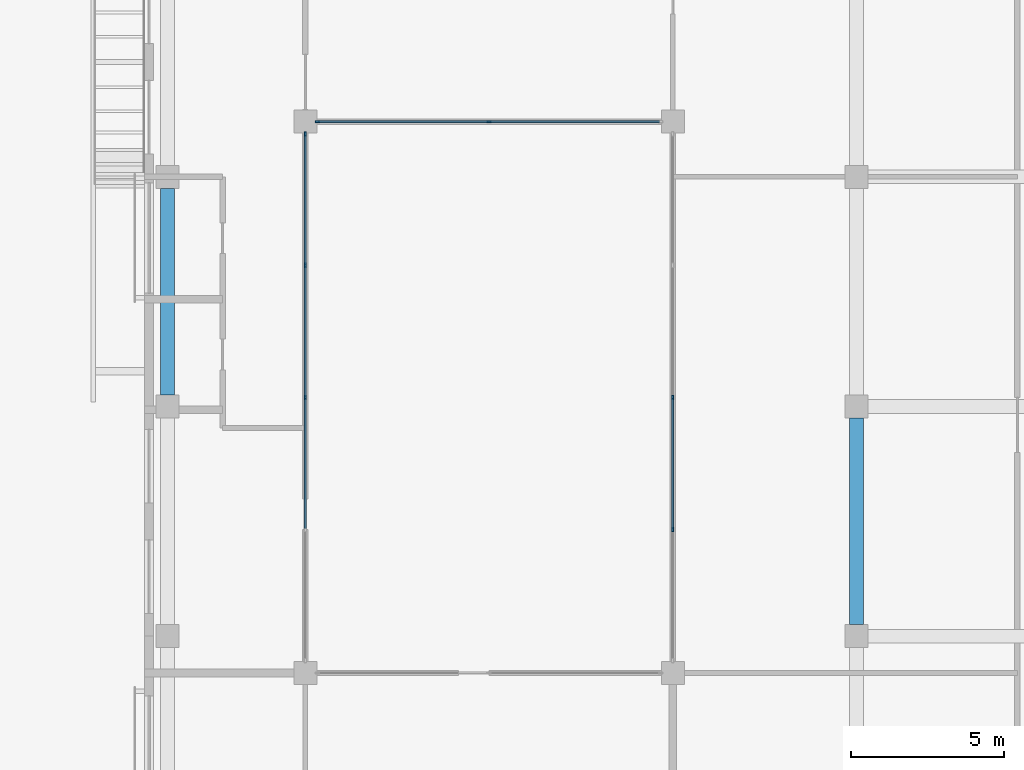
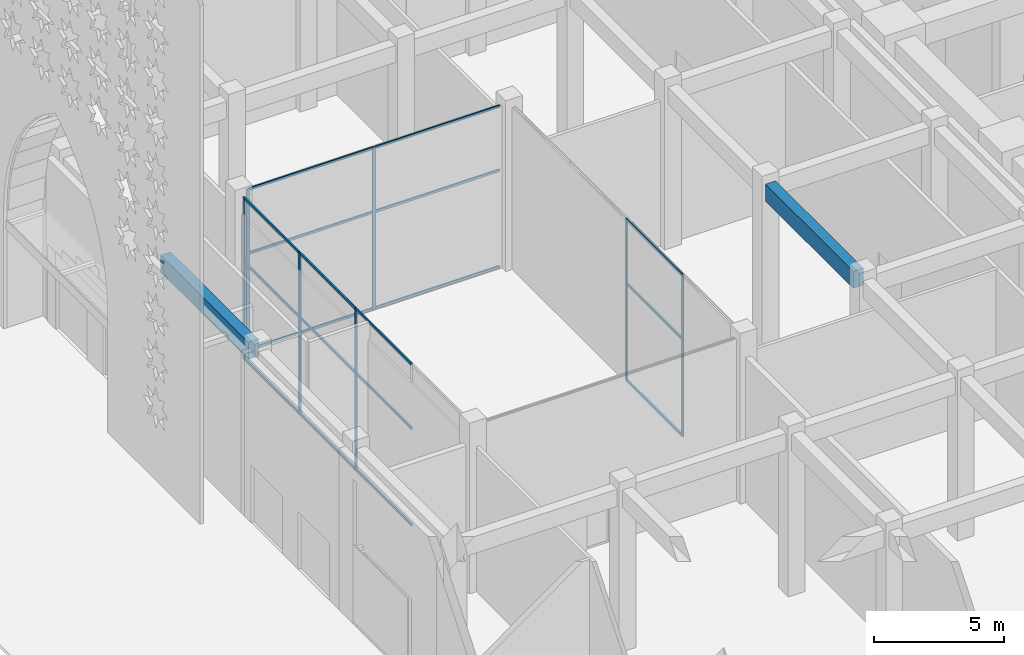
# One storey, part 9 of 64: 25 members, 2 beams, 3 elements without a shape of their own.
"""IFC4 building model written with IfcOpenShell, lengths in metres."""

from ifc_helpers import new_model, si_unit, direction, frame, origin, origin_2d, place, context, subcontext, project, spatial, rectangle, extrude, material, layer, layer_set, material_profile, profile_set, type_object, element, aggregate, save


model = new_model("IFC4")

# Units and contexts
model_context = context("Model", 3, precision=1e-05, world=origin(), true_north=direction((0.0, 1.0)))
body_context = subcontext(model_context, "Body", "Model", "MODEL_VIEW")
ifc_project = project(units=[si_unit("LENGTHUNIT", "METRE"), si_unit("AREAUNIT", "SQUARE_METRE"), si_unit("VOLUMEUNIT", "CUBIC_METRE"), si_unit("PLANEANGLEUNIT", "RADIAN"), si_unit("MASSUNIT", "GRAM", prefix="KILO")], contexts=[model_context])

# Site, building, storey
site_placement = place(None, origin())
site = spatial("IfcSite", under=ifc_project, at=site_placement, CompositionType="ELEMENT")
building_placement = place(site_placement, origin())
building = spatial("IfcBuilding", under=site, at=building_placement, Name="Tessera Arch", CompositionType="ELEMENT")
storey_placement = place(building_placement, origin())
storey = spatial("IfcBuildingStorey", under=building, at=storey_placement, Name="L00", CompositionType="ELEMENT", Elevation=0.0)

# Curtain wall, members
ifc_material_1 = material(Name="Aluminium and clear glass", Category="aluminium")
ifc_layer = layer(ifc_material_1, 0.1201171875)
ifc_layer_set = layer_set([ifc_layer], Name="Courtyard curtain wall")
curtain_wall_type = type_object("IfcCurtainWallType", Name="Courtyard curtain wall", PredefinedType="NOTDEFINED", material=ifc_layer_set)
curtain_wall_1_placement = place(storey_placement, origin())
curtain_wall_1 = element("IfcCurtainWall", 1, at=curtain_wall_1_placement, inside=storey, type_object=curtain_wall_type, Name="Courtyard curtain wall L00 2", PredefinedType="NOTDEFINED")
ifc_material_2 = material(Name="Aluminium alloy anodised", Category="aluminium")
ifc_material_profile_1 = material_profile(ifc_material_2, rectangle(XDim=0.06005859375, YDim=0.14990234375, at=origin_2d()), Name="Courtyard mullion")
ifc_profile_set_1 = profile_set([ifc_material_profile_1], Name="Aluminium alloy anodised")
member_type_1 = type_object("IfcMemberType", Name="Courtyard mullion", PredefinedType="MULLION", material=ifc_profile_set_1)
member_1_placement = place(storey_placement, frame((-15.300048828125, 16.6875, 0.0), z_axis=(0.0, 0.0, 1.0), x_axis=(-1.0, 0.0, 0.0)))
member_1 = element("IfcMember", 2, at=member_1_placement, type_object=member_type_1, Name="MCW1 mullion 2", PredefinedType="MULLION", context=body_context, shape_type="SweptSolid", body=[
    extrude(rectangle(XDim=0.06005859375, YDim=0.14990234375, at=origin_2d()), origin(), (0.0, 0.0, 1.0), 7.590087890625),
])
member_2_placement = place(storey_placement, frame((-15.300048828125, 21.0, 0.0), z_axis=(0.0, 0.0, 1.0), x_axis=(-1.0, 0.0, 0.0)))
member_2 = element("IfcMember", 3, at=member_2_placement, type_object=member_type_1, Name="MCW1 mullion 3", PredefinedType="MULLION", context=body_context, shape_type="SweptSolid", body=[
    extrude(rectangle(XDim=0.06005859375, YDim=0.14990234375, at=origin_2d()), origin(), (0.0, 0.0, 1.0), 7.590087890625),
])

curtain_wall_2_placement = place(storey_placement, origin())
curtain_wall_2 = element("IfcCurtainWall", 4, at=curtain_wall_2_placement, inside=storey, type_object=curtain_wall_type, Name="Courtyard curtain wall L00 3", PredefinedType="NOTDEFINED")
member_3_placement = place(storey_placement, frame((-21.300048828125, 30.0, 0.0), z_axis=(0.0, 0.0, 1.0), x_axis=(0.0, -1.0, 0.0)))
member_3 = element("IfcMember", 5, at=member_3_placement, type_object=member_type_1, Name="MCW1 mullion 2", PredefinedType="MULLION", context=body_context, shape_type="SweptSolid", body=[
    extrude(rectangle(XDim=0.06005859375, YDim=0.14990234375, at=origin_2d()), origin(), (0.0, 0.0, 1.0), 7.590087890625),
])
member_4_placement = place(storey_placement, frame((-26.89501953125, 30.0, 0.0), z_axis=(0.0, 0.0, 1.0), x_axis=(0.0, -1.0, 0.0)))
member_4 = element("IfcMember", 6, at=member_4_placement, type_object=member_type_1, Name="MCW1 mullion 3", PredefinedType="MULLION", context=body_context, shape_type="SweptSolid", body=[
    extrude(rectangle(XDim=0.06005859375, YDim=0.14990234375, at=origin_2d()), origin(), (0.0, 0.0, 1.0), 7.590087890625),
])

curtain_wall_3_placement = place(storey_placement, origin())
curtain_wall_3 = element("IfcCurtainWall", 7, at=curtain_wall_3_placement, inside=storey, type_object=curtain_wall_type, Name="Courtyard curtain wall L00 4", PredefinedType="NOTDEFINED")
member_5_placement = place(storey_placement, frame((-27.300048828125, 29.594970703125, 0.0), z_axis=(0.0, 0.0, 1.0), x_axis=(1.0, 0.0, 0.0)))
member_5 = element("IfcMember", 8, at=member_5_placement, type_object=member_type_1, Name="MCW1 mullion 1", PredefinedType="MULLION", context=body_context, shape_type="SweptSolid", body=[
    extrude(rectangle(XDim=0.06005859375, YDim=0.14990234375, at=origin_2d()), origin(), (0.0, 0.0, 1.0), 7.590087890625),
])
member_6_placement = place(storey_placement, frame((-27.300048828125, 25.3125, 0.0), z_axis=(0.0, 0.0, 1.0), x_axis=(1.0, 0.0, 0.0)))
member_6 = element("IfcMember", 9, at=member_6_placement, type_object=member_type_1, Name="MCW1 mullion 2", PredefinedType="MULLION", context=body_context, shape_type="SweptSolid", body=[
    extrude(rectangle(XDim=0.06005859375, YDim=0.14990234375, at=origin_2d()), origin(), (0.0, 0.0, 1.0), 7.590087890625),
])
member_7_placement = place(storey_placement, frame((-27.300048828125, 21.0, 0.0), z_axis=(0.0, 0.0, 1.0), x_axis=(1.0, 0.0, 0.0)))
member_7 = element("IfcMember", 10, at=member_7_placement, type_object=member_type_1, Name="MCW1 mullion 3", PredefinedType="MULLION", context=body_context, shape_type="SweptSolid", body=[
    extrude(rectangle(XDim=0.06005859375, YDim=0.14990234375, at=origin_2d()), origin(), (0.0, 0.0, 1.0), 7.590087890625),
])

# Member
ifc_material_3 = material(Name="Aluminium alloy anodised", Category="aluminium")
ifc_material_profile_2 = material_profile(ifc_material_3, rectangle(XDim=0.06005859375, YDim=0.1201171875, at=origin_2d()), Name="Courtyard transom")
ifc_profile_set_2 = profile_set([ifc_material_profile_2], Name="Aluminium alloy anodised")
member_type_2 = type_object("IfcMemberType", Name="Courtyard transom", PredefinedType="USERDEFINED", material=ifc_profile_set_2)
member_8_placement = place(storey_placement, frame((-15.300048828125, 16.717529296875, 0.030029296875), z_axis=(0.0, 1.0, 0.0), x_axis=(-1.0, 0.0, 0.0)))
member_8 = element("IfcMember", 11, at=member_8_placement, type_object=member_type_2, Name="MCW1 transom 2.1", ObjectType="TRANSOM", PredefinedType="USERDEFINED", context=body_context, shape_type="SweptSolid", body=[
    extrude(rectangle(XDim=0.06005859375, YDim=0.1201171875, at=origin_2d()), origin(), (0.0, 0.0, 1.0), 4.25244140625),
])

member_9_placement = place(storey_placement, frame((-15.300048828125, 16.717529296875, 4.553955078125), z_axis=(0.0, 1.0, 0.0), x_axis=(-1.0, 0.0, 0.0)))
member_9 = element("IfcMember", 12, at=member_9_placement, type_object=member_type_2, Name="MCW1 transom 2.2", ObjectType="TRANSOM", PredefinedType="USERDEFINED", context=body_context, shape_type="SweptSolid", body=[
    extrude(rectangle(XDim=0.06005859375, YDim=0.1201171875, at=origin_2d()), origin(), (0.0, 0.0, 1.0), 4.25244140625),
])

member_10_placement = place(storey_placement, frame((-15.300048828125, 16.717529296875, 7.56005859375), z_axis=(0.0, 1.0, 0.0), x_axis=(-1.0, 0.0, 0.0)))
member_10 = element("IfcMember", 13, at=member_10_placement, type_object=member_type_2, Name="MCW1 transom 2.3", ObjectType="TRANSOM", PredefinedType="USERDEFINED", context=body_context, shape_type="SweptSolid", body=[
    extrude(rectangle(XDim=0.06005859375, YDim=0.1201171875, at=origin_2d()), origin(), (0.0, 0.0, 1.0), 4.25244140625),
])

aggregate(curtain_wall_1, [member_1, member_2, member_8, member_9, member_10])

member_11_placement = place(storey_placement, frame((-15.735107421875, 30.0, 0.030029296875), z_axis=(-1.0, 0.0, 0.0), x_axis=(0.0, -1.0, 0.0)))
member_11 = element("IfcMember", 14, at=member_11_placement, type_object=member_type_2, Name="MCW1 transom 1.1", ObjectType="TRANSOM", PredefinedType="USERDEFINED", context=body_context, shape_type="SweptSolid", body=[
    extrude(rectangle(XDim=0.06005859375, YDim=0.1201171875, at=origin_2d()), origin(), (0.0, 0.0, 1.0), 5.534912109375),
])

member_12_placement = place(storey_placement, frame((-15.735107421875, 30.0, 4.553955078125), z_axis=(-1.0, 0.0, 0.0), x_axis=(0.0, -1.0, 0.0)))
member_12 = element("IfcMember", 15, at=member_12_placement, type_object=member_type_2, Name="MCW1 transom 1.2", ObjectType="TRANSOM", PredefinedType="USERDEFINED", context=body_context, shape_type="SweptSolid", body=[
    extrude(rectangle(XDim=0.06005859375, YDim=0.1201171875, at=origin_2d()), origin(), (0.0, 0.0, 1.0), 5.534912109375),
])

member_13_placement = place(storey_placement, frame((-15.735107421875, 30.0, 7.56005859375), z_axis=(-1.0, 0.0, 0.0), x_axis=(0.0, -1.0, 0.0)))
member_13 = element("IfcMember", 16, at=member_13_placement, type_object=member_type_2, Name="MCW1 transom 1.3", ObjectType="TRANSOM", PredefinedType="USERDEFINED", context=body_context, shape_type="SweptSolid", body=[
    extrude(rectangle(XDim=0.06005859375, YDim=0.1201171875, at=origin_2d()), origin(), (0.0, 0.0, 1.0), 5.534912109375),
])

member_14_placement = place(storey_placement, frame((-21.330078125, 30.0, 0.030029296875), z_axis=(-1.0, 0.0, 0.0), x_axis=(0.0, -1.0, 0.0)))
member_14 = element("IfcMember", 17, at=member_14_placement, type_object=member_type_2, Name="MCW1 transom 2.1", ObjectType="TRANSOM", PredefinedType="USERDEFINED", context=body_context, shape_type="SweptSolid", body=[
    extrude(rectangle(XDim=0.06005859375, YDim=0.1201171875, at=origin_2d()), origin(), (0.0, 0.0, 1.0), 5.534912109375),
])

member_15_placement = place(storey_placement, frame((-21.330078125, 30.0, 4.553955078125), z_axis=(-1.0, 0.0, 0.0), x_axis=(0.0, -1.0, 0.0)))
member_15 = element("IfcMember", 18, at=member_15_placement, type_object=member_type_2, Name="MCW1 transom 2.2", ObjectType="TRANSOM", PredefinedType="USERDEFINED", context=body_context, shape_type="SweptSolid", body=[
    extrude(rectangle(XDim=0.06005859375, YDim=0.1201171875, at=origin_2d()), origin(), (0.0, 0.0, 1.0), 5.534912109375),
])

member_16_placement = place(storey_placement, frame((-21.330078125, 30.0, 7.56005859375), z_axis=(-1.0, 0.0, 0.0), x_axis=(0.0, -1.0, 0.0)))
member_16 = element("IfcMember", 19, at=member_16_placement, type_object=member_type_2, Name="MCW1 transom 2.3", ObjectType="TRANSOM", PredefinedType="USERDEFINED", context=body_context, shape_type="SweptSolid", body=[
    extrude(rectangle(XDim=0.06005859375, YDim=0.1201171875, at=origin_2d()), origin(), (0.0, 0.0, 1.0), 5.534912109375),
])

aggregate(curtain_wall_2, [member_3, member_4, member_11, member_12, member_13, member_14, member_15, member_16])

member_17_placement = place(storey_placement, frame((-27.300048828125, 29.56494140625, 0.030029296875), z_axis=(0.0, -1.0, 0.0), x_axis=(1.0, 0.0, 0.0)))
member_17 = element("IfcMember", 20, at=member_17_placement, type_object=member_type_2, Name="MCW1 transom 1.1", ObjectType="TRANSOM", PredefinedType="USERDEFINED", context=body_context, shape_type="SweptSolid", body=[
    extrude(rectangle(XDim=0.06005859375, YDim=0.1201171875, at=origin_2d()), origin(), (0.0, 0.0, 1.0), 4.222412109375),
])

member_18_placement = place(storey_placement, frame((-27.300048828125, 29.56494140625, 4.553955078125), z_axis=(0.0, -1.0, 0.0), x_axis=(1.0, 0.0, 0.0)))
member_18 = element("IfcMember", 21, at=member_18_placement, type_object=member_type_2, Name="MCW1 transom 1.2", ObjectType="TRANSOM", PredefinedType="USERDEFINED", context=body_context, shape_type="SweptSolid", body=[
    extrude(rectangle(XDim=0.06005859375, YDim=0.1201171875, at=origin_2d()), origin(), (0.0, 0.0, 1.0), 4.222412109375),
])

member_19_placement = place(storey_placement, frame((-27.300048828125, 29.56494140625, 7.56005859375), z_axis=(0.0, -1.0, 0.0), x_axis=(1.0, 0.0, 0.0)))
member_19 = element("IfcMember", 22, at=member_19_placement, type_object=member_type_2, Name="MCW1 transom 1.3", ObjectType="TRANSOM", PredefinedType="USERDEFINED", context=body_context, shape_type="SweptSolid", body=[
    extrude(rectangle(XDim=0.06005859375, YDim=0.1201171875, at=origin_2d()), origin(), (0.0, 0.0, 1.0), 4.222412109375),
])

member_20_placement = place(storey_placement, frame((-27.300048828125, 25.282470703125, 0.030029296875), z_axis=(0.0, -1.0, 0.0), x_axis=(1.0, 0.0, 0.0)))
member_20 = element("IfcMember", 23, at=member_20_placement, type_object=member_type_2, Name="MCW1 transom 2.1", ObjectType="TRANSOM", PredefinedType="USERDEFINED", context=body_context, shape_type="SweptSolid", body=[
    extrude(rectangle(XDim=0.06005859375, YDim=0.1201171875, at=origin_2d()), origin(), (0.0, 0.0, 1.0), 4.25244140625),
])

member_21_placement = place(storey_placement, frame((-27.300048828125, 25.282470703125, 4.553955078125), z_axis=(0.0, -1.0, 0.0), x_axis=(1.0, 0.0, 0.0)))
member_21 = element("IfcMember", 24, at=member_21_placement, type_object=member_type_2, Name="MCW1 transom 2.2", ObjectType="TRANSOM", PredefinedType="USERDEFINED", context=body_context, shape_type="SweptSolid", body=[
    extrude(rectangle(XDim=0.06005859375, YDim=0.1201171875, at=origin_2d()), origin(), (0.0, 0.0, 1.0), 4.25244140625),
])

member_22_placement = place(storey_placement, frame((-27.300048828125, 25.282470703125, 7.56005859375), z_axis=(0.0, -1.0, 0.0), x_axis=(1.0, 0.0, 0.0)))
member_22 = element("IfcMember", 25, at=member_22_placement, type_object=member_type_2, Name="MCW1 transom 2.3", ObjectType="TRANSOM", PredefinedType="USERDEFINED", context=body_context, shape_type="SweptSolid", body=[
    extrude(rectangle(XDim=0.06005859375, YDim=0.1201171875, at=origin_2d()), origin(), (0.0, 0.0, 1.0), 4.25244140625),
])

member_23_placement = place(storey_placement, frame((-27.300048828125, 20.969970703125, 0.030029296875), z_axis=(0.0, -1.0, 0.0), x_axis=(1.0, 0.0, 0.0)))
member_23 = element("IfcMember", 26, at=member_23_placement, type_object=member_type_2, Name="MCW1 transom 3.1", ObjectType="TRANSOM", PredefinedType="USERDEFINED", context=body_context, shape_type="SweptSolid", body=[
    extrude(rectangle(XDim=0.06005859375, YDim=0.1201171875, at=origin_2d()), origin(), (0.0, 0.0, 1.0), 4.25244140625),
])

member_24_placement = place(storey_placement, frame((-27.300048828125, 20.969970703125, 4.553955078125), z_axis=(0.0, -1.0, 0.0), x_axis=(1.0, 0.0, 0.0)))
member_24 = element("IfcMember", 27, at=member_24_placement, type_object=member_type_2, Name="MCW1 transom 3.2", ObjectType="TRANSOM", PredefinedType="USERDEFINED", context=body_context, shape_type="SweptSolid", body=[
    extrude(rectangle(XDim=0.06005859375, YDim=0.1201171875, at=origin_2d()), origin(), (0.0, 0.0, 1.0), 4.25244140625),
])

member_25_placement = place(storey_placement, frame((-27.300048828125, 20.969970703125, 7.56005859375), z_axis=(0.0, -1.0, 0.0), x_axis=(1.0, 0.0, 0.0)))
member_25 = element("IfcMember", 28, at=member_25_placement, type_object=member_type_2, Name="MCW1 transom 3.3", ObjectType="TRANSOM", PredefinedType="USERDEFINED", context=body_context, shape_type="SweptSolid", body=[
    extrude(rectangle(XDim=0.06005859375, YDim=0.1201171875, at=origin_2d()), origin(), (0.0, 0.0, 1.0), 4.25244140625),
])

aggregate(curtain_wall_3, [member_5, member_6, member_7, member_17, member_18, member_19, member_20, member_21, member_22, member_23, member_24, member_25])

# Beams
ifc_material_4 = material(Name="Concrete C40/50", Category="concrete")
ifc_material_profile_3 = material_profile(ifc_material_4, rectangle(XDim=0.449951171875, YDim=0.800048828125, at=origin_2d()), Name="Museum beam 450 x 800 Concrete C40/50")
ifc_profile_set_3 = profile_set([ifc_material_profile_3], Name="Concrete C40/50")
beam_type = type_object("IfcBeamType", Name="Museum beam 450 x 800 Concrete C40/50", PredefinedType="BEAM", material=ifc_profile_set_3)
for number, where, z_axis, x_axis, name in (
    (29, (-31.800048828125, 21.074951171875, 7.18994140625), (0.0, 1.0, 0.0), (-1.0, 0.0, 0.0), "Museum beam L00 7"),
    (30, (-9.300048828125, 13.574951171875, 7.18994140625), (0.0, 1.0, 0.0), (-1.0, 0.0, 0.0), "Museum beam L00 28"),
):
    element("IfcBeam", number, at=place(storey_placement, frame(where, z_axis=z_axis, x_axis=x_axis)), inside=storey, type_object=beam_type, Name=name, PredefinedType="BEAM", context=body_context, shape_type="SweptSolid", body=[
        extrude(rectangle(XDim=0.449951171875, YDim=0.800048828125, at=origin_2d()), origin(), (0.0, 0.0, 1.0), 6.75),
    ])

save(model, "model.ifc")
